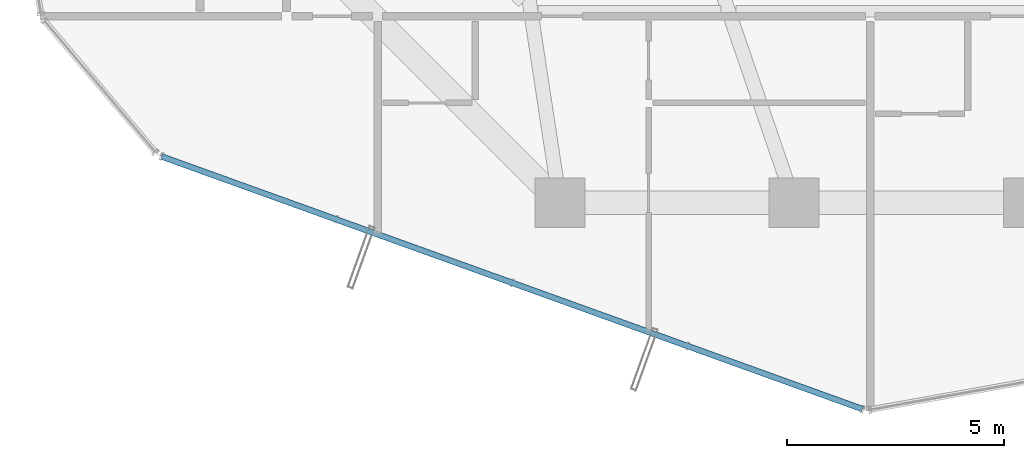
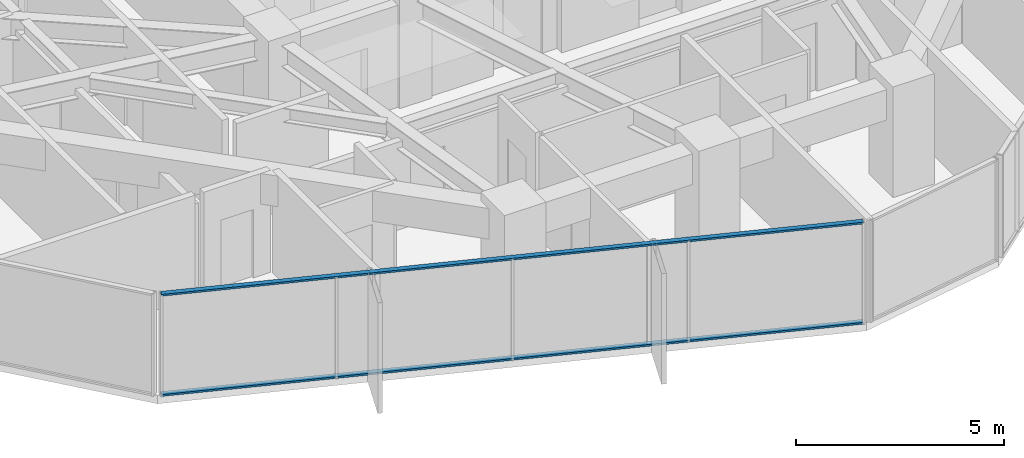
# One storey, part 3 of 36: 2 members, 1 element without a shape of its own.
"""IFC4 building model written with IfcOpenShell, lengths in metres."""

from ifc_helpers import new_model, si_unit, direction, frame, origin, origin_2d, place, context, subcontext, project, spatial, hollow_rectangle, extrude, source, transform, mapped, material, layer, layer_set, material_profile, profile_set, type_object, element, aggregate, save


model = new_model("IFC4")

# Units and contexts
model_context = context("Model", 3, precision=1e-05, world=origin(), true_north=direction((0.0, 1.0)))
body_context = subcontext(model_context, "Body", "Model", "MODEL_VIEW")
ifc_project = project(units=[si_unit("LENGTHUNIT", "METRE"), si_unit("AREAUNIT", "SQUARE_METRE"), si_unit("VOLUMEUNIT", "CUBIC_METRE"), si_unit("PLANEANGLEUNIT", "RADIAN"), si_unit("MASSUNIT", "GRAM", prefix="KILO")], contexts=[model_context])

# Site, building, storey
site_placement = place(None, origin())
site = spatial("IfcSite", under=ifc_project, at=site_placement, CompositionType="ELEMENT")
building_placement = place(site_placement, origin())
building = spatial("IfcBuilding", under=site, at=building_placement, Name="Veraguas Prism Commons", CompositionType="ELEMENT")
storey_placement = place(building_placement, frame((0.0, 0.0, 163.050048828125)))
storey = spatial("IfcBuildingStorey", under=building, at=storey_placement, Name="L46", CompositionType="ELEMENT", Elevation=163.050048828125)

# Curtain wall, members
ifc_material = material(Name="Anodised aluminium EN AW-6063 T6", Category="aluminium")
ifc_layer = layer(ifc_material, 0.169921875, Name="Unitised Flush Curtain Wall Zone 2", Category="aluminium")
ifc_layer_set = layer_set([ifc_layer], Name="Anodised aluminium EN AW-6063 T6")
curtain_wall_type = type_object("IfcCurtainWallType", Name="Unitised Flush Curtain Wall Zone 2", PredefinedType="NOTDEFINED", material=ifc_layer_set)
curtain_wall_placement = place(storey_placement, origin())
curtain_wall = element("IfcCurtainWall", 1, at=curtain_wall_placement, inside=storey, type_object=curtain_wall_type, Name="Tower Facade Curtain Wall L46-F4", PredefinedType="NOTDEFINED")
ifc_material_profile = material_profile(ifc_material, hollow_rectangle(XDim=0.054931640625, YDim=0.135009765625, WallThickness=0.0029296875, at=origin_2d()), Name="AL55X135X3")
ifc_profile_set = profile_set([ifc_material_profile], Name="Anodised aluminium EN AW-6063 T6")
member_type = type_object("IfcMemberType", Name="Curtain Wall Transom Standard AL 55x135x3", PredefinedType="USERDEFINED", material=ifc_profile_set)
shared_shape = source(origin(), body_context, "Body", "SweptSolid", [
    extrude(hollow_rectangle(XDim=0.054931640625, YDim=0.135009765625, WallThickness=0.0029296875, at=origin_2d()), origin(), (0.0, 0.0, 1.0), 17.174560546875),
])
member_1_placement = place(storey_placement, frame((9.417236328125, 8.865478515625, 0.02734375), z_axis=(0.940764124073, -0.339061739006, 0.0), x_axis=(0.0, 0.0, 1.0)))
member_1 = element("IfcMember", 2, at=member_1_placement, type_object=member_type, Name="CW-Z2 Transom 1", ObjectType="TRANSOM", PredefinedType="USERDEFINED", context=body_context, shape_type="MappedRepresentation", body=[
    mapped(shared_shape, transform((0.0, 0.0, 0.0), scale=1.0)),
])
member_2_placement = place(storey_placement, frame((9.417236328125, 8.865478515625, 2.972412109375), z_axis=(0.940764124073, -0.339061739006, 0.0), x_axis=(0.0, 0.0, 1.0)))
member_2 = element("IfcMember", 3, at=member_2_placement, type_object=member_type, Name="CW-Z2 Transom 2", ObjectType="TRANSOM", PredefinedType="USERDEFINED", context=body_context, shape_type="MappedRepresentation", body=[
    mapped(shared_shape, transform((0.0, 0.0, 0.0), scale=1.0)),
])
aggregate(curtain_wall, [member_1, member_2])

save(model, "model.ifc")
